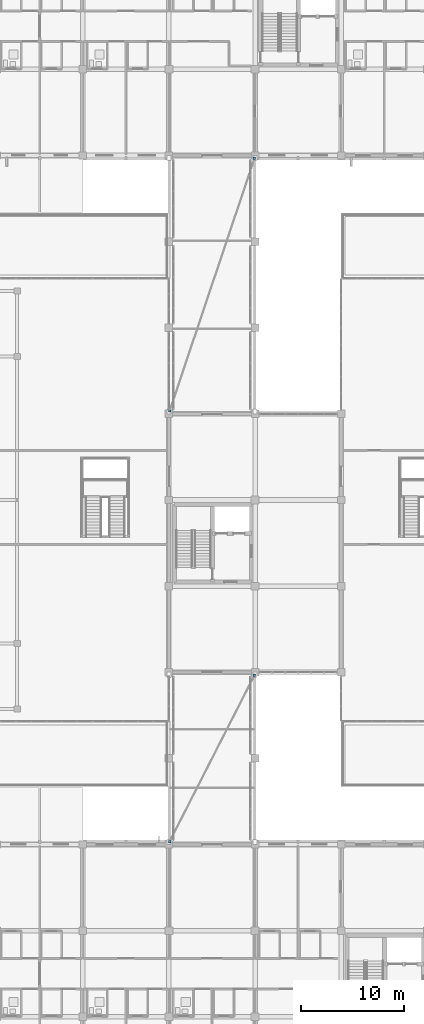
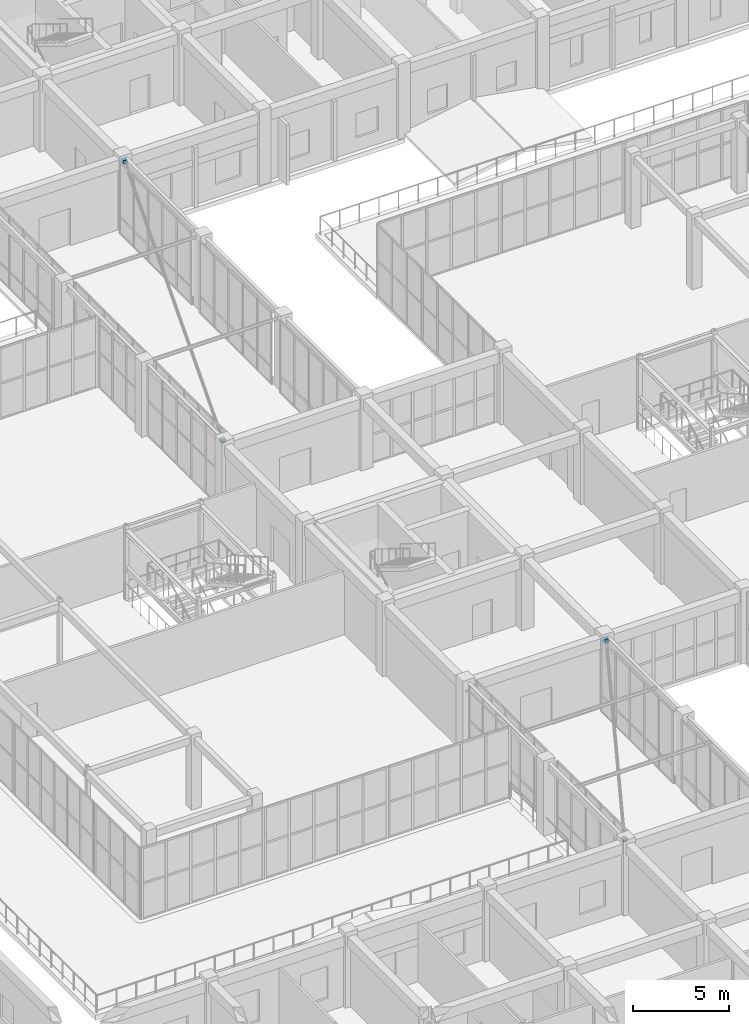
# One storey, part 140 of 158: 4 discrete accessories.
"""IFC4 building model written with IfcOpenShell, lengths in metres."""

from ifc_helpers import new_model, si_unit, direction, frame, origin, origin_2d, place, context, subcontext, project, spatial, rectangle, extrude, material, type_object, element, save


model = new_model("IFC4")

# Units and contexts
model_context = context("Model", 3, precision=1e-05, world=origin(), true_north=direction((0.0, 1.0)))
body_context = subcontext(model_context, "Body", "Model", "MODEL_VIEW")
ifc_project = project(units=[si_unit("LENGTHUNIT", "METRE"), si_unit("AREAUNIT", "SQUARE_METRE"), si_unit("VOLUMEUNIT", "CUBIC_METRE"), si_unit("PLANEANGLEUNIT", "RADIAN"), si_unit("MASSUNIT", "GRAM", prefix="KILO")], contexts=[model_context])

# Site, building, storey
site_placement = place(None, origin())
site = spatial("IfcSite", under=ifc_project, at=site_placement, CompositionType="ELEMENT")
building_placement = place(site_placement, origin())
building = spatial("IfcBuilding", under=site, at=building_placement, Name="Trelvath General Hospital", CompositionType="ELEMENT")
storey_placement = place(building_placement, frame((0.0, 0.0, 8.10009765625)))
storey = spatial("IfcBuildingStorey", under=building, at=storey_placement, Name="L02", CompositionType="ELEMENT", Elevation=8.10009765625)

# Discrete accessories
ifc_material = material(Name="Steel S355", Category="steel")
discrete_accessory_type = type_object("IfcDiscreteAccessoryType", Name="FacadeBracket S355", PredefinedType="BRACKET", material=ifc_material)
for number, where, z_axis, x_axis, name in (
    (1, (75.659912109375, 67.47998046875, 4.26513671875), (0.0, 0.0, 1.0), (1.0, 0.0, 0.0), "Bridge Brace Gusset Node BRG-N-C A L03"),
    (2, (83.93994140625, 92.1201171875, 4.26513671875), (0.0, 0.0, 1.0), (1.0, 0.0, 0.0), "Bridge Brace Gusset Node BRG-N-C B L03"),
    (3, (75.659912109375, 25.47998046875, 4.26513671875), (0.0, 0.0, 1.0), (1.0, 0.0, 0.0), "Bridge Brace Gusset Node BRG-S-C A L03"),
    (4, (83.93994140625, 41.719970703125, 4.26513671875), (0.0, 0.0, 1.0), (1.0, 0.0, 0.0), "Bridge Brace Gusset Node BRG-S-C B L03"),
):
    element("IfcDiscreteAccessory", number, at=place(storey_placement, frame(where, z_axis=z_axis, x_axis=x_axis)), inside=storey, type_object=discrete_accessory_type, Name=name, PredefinedType="BRACKET", context=body_context, shape_type="SweptSolid", body=[
        extrude(rectangle(XDim=0.239990234375, YDim=0.239990234375, at=origin_2d()), origin(), (0.0, 0.0, 1.0), 0.239990234375),
    ])

save(model, "model.ifc")
